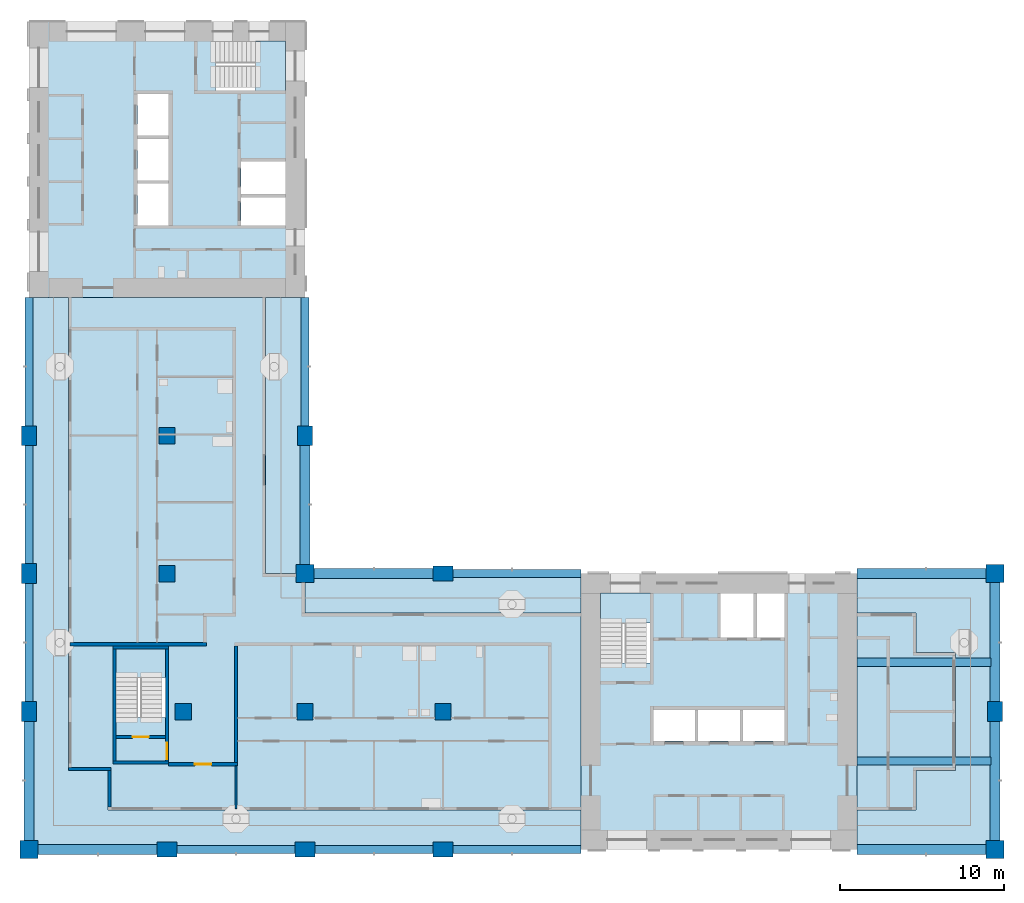
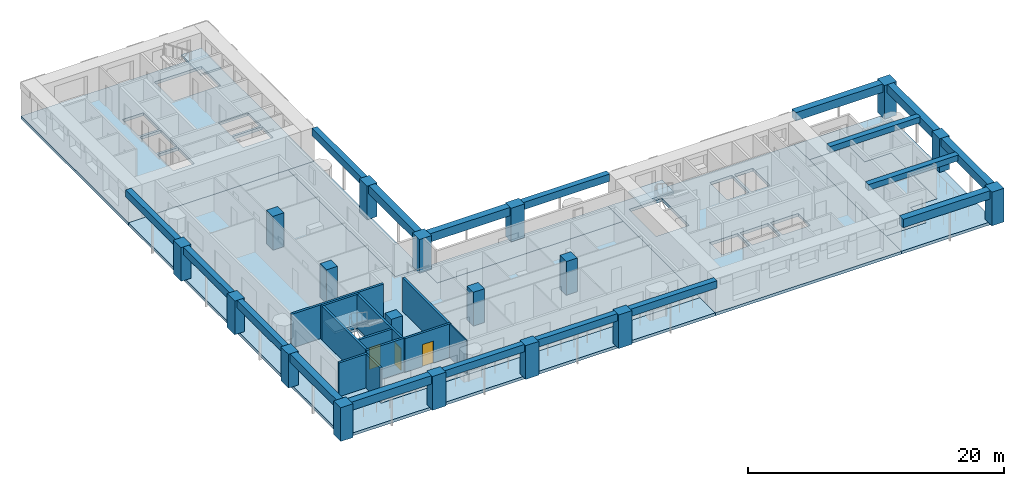
# One storey, part 1 of 13: 18 beams, 18 columns, 12 slabs, 11 walls, 3 doors, 3 openings, 3 elements without a shape of their own.
"""IFC4 building model written with IfcOpenShell, lengths in metres."""

from ifc_helpers import new_model, si_unit, direction, frame, frame_2d, origin, origin_2d, place, context, subcontext, project, spatial, polyline, rectangle, outline, extrude, material, layer, layer_set, material_profile, profile_set, type_object, element, fill, aggregate, save


model = new_model("IFC4")

# Units and contexts
model_context = context("Model", 3, precision=1e-05, world=origin(), true_north=direction((0.0, 1.0)))
body_context = subcontext(model_context, "Body", "Model", "MODEL_VIEW")
ifc_project = project(units=[si_unit("LENGTHUNIT", "METRE"), si_unit("AREAUNIT", "SQUARE_METRE"), si_unit("VOLUMEUNIT", "CUBIC_METRE"), si_unit("PLANEANGLEUNIT", "RADIAN"), si_unit("MASSUNIT", "GRAM", prefix="KILO")], contexts=[model_context])

# Site, building, storey
site_placement = place(None, origin())
site = spatial("IfcSite", under=ifc_project, at=site_placement, CompositionType="ELEMENT")
building_placement = place(site_placement, origin())
building = spatial("IfcBuilding", under=site, at=building_placement, Name="Vermilion Gate Residences", CompositionType="ELEMENT")
storey_placement = place(building_placement, frame((0.0, 0.0, 196.699951171875)))
storey = spatial("IfcBuildingStorey", under=building, at=storey_placement, Name="L51", CompositionType="ELEMENT", Elevation=196.699951171875)

# Columns
ifc_material_1 = material(Name="Concrete C60", Category="concrete")
ifc_material_profile_1 = material_profile(ifc_material_1, rectangle(XDim=1.0, YDim=1.0, at=origin_2d()), Name="RC-1000x1000")
ifc_profile_set_1 = profile_set([ifc_material_profile_1], Name="Concrete C60")
column_type_1 = type_object("IfcColumnType", Name="RC COLUMN 1000 X 1000 C60", PredefinedType="COLUMN", material=ifc_profile_set_1)
for number, where, z_axis, x_axis, name in (
    (1, (17.800048828125, 16.800048828125, 0.0), (0.0, 0.0, 1.0), (1.0, 0.0, 0.0), "Column 3-C L51"),
    (2, (16.800048828125, 25.199951171875, 0.0), (0.0, 0.0, 1.0), (1.0, 0.0, 0.0), "Column 3-D L51"),
    (3, (16.800048828125, 33.60009765625, 0.0), (0.0, 0.0, 1.0), (1.0, 0.0, 0.0), "Column 3-E L51"),
    (4, (25.199951171875, 16.800048828125, 0.0), (0.0, 0.0, 1.0), (1.0, 0.0, 0.0), "Column 4-C L51"),
    (5, (33.60009765625, 16.800048828125, 0.0), (0.0, 0.0, 1.0), (1.0, 0.0, 0.0), "Column 5-C L51"),
):
    element("IfcColumn", number, at=place(storey_placement, frame(where, z_axis=z_axis, x_axis=x_axis)), inside=storey, type_object=column_type_1, Name=name, PredefinedType="COLUMN", context=body_context, shape_type="SweptSolid", body=[
        extrude(rectangle(XDim=1.0, YDim=1.0, at=origin_2d()), origin(), (0.0, 0.0, 1.0), 3.219970703125),
    ])
ifc_material_2 = material(Name="Concrete C60", Category="concrete")
ifc_material_profile_2 = material_profile(ifc_material_2, rectangle(XDim=1.10009765625, YDim=1.10009765625, at=origin_2d()), Name="RC-1100x1100")
ifc_profile_set_2 = profile_set([ifc_material_profile_2], Name="Concrete C60")
column_type_2 = type_object("IfcColumnType", Name="RC COLUMN 1100 X 1100 C60", PredefinedType="COLUMN", material=ifc_profile_set_2)
for number, where, z_axis, x_axis, name in (
    (6, (8.39990234375, 8.39990234375, 0.0), (0.0, 0.0, 1.0), (1.0, 0.0, 0.0), "Column 2-B L51"),
    (7, (25.199951171875, 25.199951171875, 0.0), (0.0, 0.0, 1.0), (1.0, 0.0, 0.0), "Column 4-D L51"),
    (8, (67.199951171875, 8.39990234375, 0.0), (0.0, 0.0, 1.0), (1.0, 0.0, 0.0), "Column 9-B L51"),
    (9, (67.199951171875, 25.199951171875, 0.0), (0.0, 0.0, 1.0), (1.0, 0.0, 0.0), "Column 9-D L51"),
):
    element("IfcColumn", number, at=place(storey_placement, frame(where, z_axis=z_axis, x_axis=x_axis)), inside=storey, type_object=column_type_2, Name=name, PredefinedType="COLUMN", context=body_context, shape_type="SweptSolid", body=[
        extrude(rectangle(XDim=1.10009765625, YDim=1.10009765625, at=origin_2d()), origin(), (0.0, 0.0, 1.0), 3.219970703125),
    ])
ifc_material_3 = material(Name="Concrete C60", Category="concrete")
ifc_material_profile_3 = material_profile(ifc_material_3, rectangle(XDim=1.199951171875, YDim=0.89990234375, at=origin_2d()), Name="RC-1200x900")
ifc_profile_set_3 = profile_set([ifc_material_profile_3], Name="Concrete C60")
column_type_3 = type_object("IfcColumnType", Name="RC COLUMN 1200 X 900 C60", PredefinedType="COLUMN", material=ifc_profile_set_3)
for number, where, z_axis, x_axis, name in (
    (10, (8.39990234375, 16.800048828125, 0.0), (0.0, 0.0, 1.0), (0.0, 1.0, 0.0), "Column 2-C L51"),
    (11, (8.39990234375, 25.199951171875, 0.0), (0.0, 0.0, 1.0), (0.0, 1.0, 0.0), "Column 2-D L51"),
    (12, (8.39990234375, 33.60009765625, 0.0), (0.0, 0.0, 1.0), (0.0, 1.0, 0.0), "Column 2-E L51"),
    (13, (16.800048828125, 8.39990234375, 0.0), (0.0, 0.0, 1.0), (1.0, 0.0, 0.0), "Column 3-B L51"),
    (14, (25.199951171875, 8.39990234375, 0.0), (0.0, 0.0, 1.0), (1.0, 0.0, 0.0), "Column 4-B L51"),
    (15, (25.199951171875, 33.60009765625, 0.0), (0.0, 0.0, 1.0), (0.0, 1.0, 0.0), "Column 4-E L51"),
    (16, (33.60009765625, 8.39990234375, 0.0), (0.0, 0.0, 1.0), (1.0, 0.0, 0.0), "Column 5-B L51"),
    (17, (33.60009765625, 25.199951171875, 0.0), (0.0, 0.0, 1.0), (1.0, 0.0, 0.0), "Column 5-D L51"),
    (18, (67.199951171875, 16.800048828125, 0.0), (0.0, 0.0, 1.0), (0.0, 1.0, 0.0), "Column 9-C L51"),
):
    element("IfcColumn", number, at=place(storey_placement, frame(where, z_axis=z_axis, x_axis=x_axis)), inside=storey, type_object=column_type_3, Name=name, PredefinedType="COLUMN", context=body_context, shape_type="SweptSolid", body=[
        extrude(rectangle(XDim=1.199951171875, YDim=0.89990234375, at=origin_2d()), origin(), (0.0, 0.0, 1.0), 3.219970703125),
    ])

# Beams
ifc_material_4 = material(Name="Concrete C60 red-oxide pigmented", Category="concrete")
ifc_material_profile_4 = material_profile(ifc_material_4, rectangle(XDim=0.60009765625, YDim=0.800048828125, at=origin_2d()), Name="RC-600x800")
ifc_profile_set_4 = profile_set([ifc_material_profile_4], Name="Concrete C60 red-oxide pigmented")
beam_type_1 = type_object("IfcBeamType", Name="RC CORNER EDGE BEAM 600 X 800 C60", PredefinedType="BEAM", material=ifc_profile_set_4)
for number, where, z_axis, x_axis, name in (
    (19, (8.949951171875, 8.39990234375, 2.820068359375), (1.0, 0.0, 0.0), (0.0, 1.0, 0.0), "Corner edge beam L51 1"),
    (20, (8.39990234375, 8.949951171875, 2.820068359375), (0.0, 1.0, 0.0), (-1.0, 0.0, 0.0), "Corner edge beam L51 2"),
    (21, (25.199951171875, 25.75, 2.820068359375), (0.0, 1.0, 0.0), (-1.0, 0.0, 0.0), "Corner edge beam L51 7"),
    (22, (25.75, 25.199951171875, 2.820068359375), (1.0, 0.0, 0.0), (0.0, 1.0, 0.0), "Corner edge beam L51 10"),
):
    element("IfcBeam", number, at=place(storey_placement, frame(where, z_axis=z_axis, x_axis=x_axis)), inside=storey, type_object=beam_type_1, Name=name, PredefinedType="BEAM", context=body_context, shape_type="SweptSolid", body=[
        extrude(rectangle(XDim=0.60009765625, YDim=0.800048828125, at=origin_2d()), origin(), (0.0, 0.0, 1.0), 7.25),
    ])
beam_1_placement = place(storey_placement, frame((58.800048828125, 8.39990234375, 2.820068359375), z_axis=(1.0, 0.0, 0.0), x_axis=(0.0, 1.0, 0.0)))
element("IfcBeam", 23, at=beam_1_placement, inside=storey, type_object=beam_type_1, Name="Corner edge beam L51 13", PredefinedType="BEAM", context=body_context, shape_type="SweptSolid", body=[
    extrude(rectangle(XDim=0.60009765625, YDim=0.800048828125, at=origin_2d()), origin(), (0.0, 0.0, 1.0), 7.849853515625),
])
for number, where, z_axis, x_axis, name in (
    (24, (67.199951171875, 8.949951171875, 2.820068359375), (0.0, 1.0, 0.0), (-1.0, 0.0, 0.0), "Corner edge beam L51 14"),
    (25, (67.199951171875, 17.39990234375, 2.820068359375), (0.0, 1.0, 0.0), (-1.0, 0.0, 0.0), "Corner edge beam L51 15"),
):
    element("IfcBeam", number, at=place(storey_placement, frame(where, z_axis=z_axis, x_axis=x_axis)), inside=storey, type_object=beam_type_1, Name=name, PredefinedType="BEAM", context=body_context, shape_type="SweptSolid", body=[
        extrude(rectangle(XDim=0.60009765625, YDim=0.800048828125, at=origin_2d()), origin(), (0.0, 0.0, 1.0), 7.25),
    ])
beam_2_placement = place(storey_placement, frame((58.800048828125, 25.199951171875, 2.820068359375), z_axis=(1.0, 0.0, 0.0), x_axis=(0.0, 1.0, 0.0)))
element("IfcBeam", 26, at=beam_2_placement, inside=storey, type_object=beam_type_1, Name="Corner edge beam L51 16", PredefinedType="BEAM", context=body_context, shape_type="SweptSolid", body=[
    extrude(rectangle(XDim=0.60009765625, YDim=0.800048828125, at=origin_2d()), origin(), (0.0, 0.0, 1.0), 7.849853515625),
])
ifc_material_5 = material(Name="Concrete C60 red-oxide pigmented", Category="concrete")
ifc_material_profile_5 = material_profile(ifc_material_5, rectangle(XDim=0.5, YDim=0.699951171875, at=origin_2d()), Name="RC-500x700")
ifc_profile_set_5 = profile_set([ifc_material_profile_5], Name="Concrete C60 red-oxide pigmented")
beam_type_2 = type_object("IfcBeamType", Name="RC EDGE BEAM 500 X 700 C60", PredefinedType="BEAM", material=ifc_profile_set_5)
beam_3_placement = place(storey_placement, frame((8.39990234375, 17.39990234375, 2.8701171875), z_axis=(0.0, 1.0, 0.0), x_axis=(-1.0, 0.0, 0.0)))
element("IfcBeam", 27, at=beam_3_placement, inside=storey, type_object=beam_type_2, Name="Edge beam L51 3", PredefinedType="BEAM", context=body_context, shape_type="SweptSolid", body=[
    extrude(rectangle(XDim=0.5, YDim=0.699951171875, at=origin_2d()), origin(), (0.0, 0.0, 1.0), 7.2001953125),
])
beam_4_placement = place(storey_placement, frame((8.39990234375, 25.800048828125, 2.8701171875), z_axis=(0.0, 1.0, 0.0), x_axis=(-1.0, 0.0, 0.0)))
element("IfcBeam", 28, at=beam_4_placement, inside=storey, type_object=beam_type_2, Name="Edge beam L51 4", PredefinedType="BEAM", context=body_context, shape_type="SweptSolid", body=[
    extrude(rectangle(XDim=0.5, YDim=0.699951171875, at=origin_2d()), origin(), (0.0, 0.0, 1.0), 7.199951171875),
])
beam_5_placement = place(storey_placement, frame((8.39990234375, 34.199951171875, 2.8701171875), z_axis=(0.0, 1.0, 0.0), x_axis=(-1.0, 0.0, 0.0)))
element("IfcBeam", 29, at=beam_5_placement, inside=storey, type_object=beam_type_2, Name="Edge beam L51 5", PredefinedType="BEAM", context=body_context, shape_type="SweptSolid", body=[
    extrude(rectangle(XDim=0.5, YDim=0.699951171875, at=origin_2d()), origin(), (0.0, 0.0, 1.0), 7.800048828125),
])
beam_6_placement = place(storey_placement, frame((17.39990234375, 8.39990234375, 2.8701171875), z_axis=(1.0, 0.0, 0.0), x_axis=(0.0, 1.0, 0.0)))
element("IfcBeam", 30, at=beam_6_placement, inside=storey, type_object=beam_type_2, Name="Edge beam L51 6", PredefinedType="BEAM", context=body_context, shape_type="SweptSolid", body=[
    extrude(rectangle(XDim=0.5, YDim=0.699951171875, at=origin_2d()), origin(), (0.0, 0.0, 1.0), 7.2001953125),
])
beam_7_placement = place(storey_placement, frame((25.199951171875, 34.199951171875, 2.8701171875), z_axis=(0.0, 1.0, 0.0), x_axis=(-1.0, 0.0, 0.0)))
element("IfcBeam", 31, at=beam_7_placement, inside=storey, type_object=beam_type_2, Name="Edge beam L51 8", PredefinedType="BEAM", context=body_context, shape_type="SweptSolid", body=[
    extrude(rectangle(XDim=0.5, YDim=0.699951171875, at=origin_2d()), origin(), (0.0, 0.0, 1.0), 7.800048828125),
])
beam_8_placement = place(storey_placement, frame((25.800048828125, 8.39990234375, 2.8701171875), z_axis=(1.0, 0.0, 0.0), x_axis=(0.0, 1.0, 0.0)))
element("IfcBeam", 32, at=beam_8_placement, inside=storey, type_object=beam_type_2, Name="Edge beam L51 9", PredefinedType="BEAM", context=body_context, shape_type="SweptSolid", body=[
    extrude(rectangle(XDim=0.5, YDim=0.699951171875, at=origin_2d()), origin(), (0.0, 0.0, 1.0), 7.199951171875),
])
for number, where, z_axis, x_axis, name in (
    (33, (34.199951171875, 8.39990234375, 2.8701171875), (1.0, 0.0, 0.0), (0.0, 1.0, 0.0), "Edge beam L51 11"),
    (34, (34.199951171875, 25.199951171875, 2.8701171875), (1.0, 0.0, 0.0), (0.0, 1.0, 0.0), "Edge beam L51 12"),
):
    element("IfcBeam", number, at=place(storey_placement, frame(where, z_axis=z_axis, x_axis=x_axis)), inside=storey, type_object=beam_type_2, Name=name, PredefinedType="BEAM", context=body_context, shape_type="SweptSolid", body=[
        extrude(rectangle(XDim=0.5, YDim=0.699951171875, at=origin_2d()), origin(), (0.0, 0.0, 1.0), 7.800048828125),
    ])
ifc_material_6 = material(Name="Concrete C60", Category="concrete")
ifc_material_profile_6 = material_profile(ifc_material_6, rectangle(XDim=0.5, YDim=0.550048828125, at=origin_2d()), Name="RC-500x550")
ifc_profile_set_6 = profile_set([ifc_material_profile_6], Name="Concrete C60")
beam_type_3 = type_object("IfcBeamType", Name="RC WING BEAM 500 X 550 C60", PredefinedType="BEAM", material=ifc_profile_set_6)
for number, where, z_axis, x_axis, name in (
    (35, (58.800048828125, 13.800048828125, 2.945068359375), (1.0, 0.0, 0.0), (0.0, 1.0, 0.0), "Wing-end beam L51 1"),
    (36, (58.800048828125, 19.800048828125, 2.945068359375), (1.0, 0.0, 0.0), (0.0, 1.0, 0.0), "Wing-end beam L51 2"),
):
    element("IfcBeam", number, at=place(storey_placement, frame(where, z_axis=z_axis, x_axis=x_axis)), inside=storey, type_object=beam_type_3, Name=name, PredefinedType="BEAM", context=body_context, shape_type="SweptSolid", body=[
        extrude(rectangle(XDim=0.5, YDim=0.550048828125, at=origin_2d()), origin(), (0.0, 0.0, 1.0), 8.14990234375),
    ])

# Slabs
ifc_material_7 = material(Name="Concrete C50", Category="concrete")
ifc_layer_1 = layer(ifc_material_7, 0.280029296875)
ifc_layer_set_1 = layer_set([ifc_layer_1], Name="RC CORE FLOOR SLAB 280 C50")
slab_type_1 = type_object("IfcSlabType", Name="RC CORE FLOOR SLAB 280 C50", PredefinedType="FLOOR", material=ifc_layer_set_1)
slab_1_placement = place(storey_placement, frame((0.0, 0.0, -0.280029296875)))
element("IfcSlab", 37, at=slab_1_placement, inside=storey, type_object=slab_type_1, Name="Core floor slab A51", PredefinedType="FLOOR", context=body_context, shape_type="SweptSolid", body=[
    extrude(outline(polyline([(42.0, 8.39990234375), (58.800048828125, 8.39990234375), (58.800048828125, 25.199951171875), (42.0, 25.199951171875), (42.0, 8.39990234375)]), holes=[polyline([(46.39990234375, 15.0), (46.39990234375, 16.89990234375), (48.933349609375, 16.89990234375), (48.933349609375, 15.0), (46.39990234375, 15.0)]), polyline([(49.13330078125, 16.89990234375), (51.666748046875, 16.89990234375), (51.666748046875, 15.0), (49.13330078125, 15.0), (49.13330078125, 16.89990234375)]), polyline([(51.86669921875, 16.89990234375), (54.39990234375, 16.89990234375), (54.39990234375, 15.0), (51.86669921875, 15.0), (51.86669921875, 16.89990234375)]), polyline([(43.199951171875, 19.75), (43.199951171875, 24.0), (46.199951171875, 24.0), (46.199951171875, 19.75), (43.199951171875, 19.75)]), polyline([(50.5, 24.0), (52.5, 24.0), (52.5, 21.300048828125), (50.5, 21.300048828125), (50.5, 24.0)]), polyline([(52.699951171875, 24.0), (54.39990234375, 24.0), (54.39990234375, 21.300048828125), (52.699951171875, 21.300048828125), (52.699951171875, 24.0)])]), origin(), (0.0, 0.0, 1.0), 0.280029296875),
])
slab_2_placement = place(storey_placement, frame((0.0, 0.0, -0.280029296875)))
element("IfcSlab", 38, at=slab_2_placement, inside=storey, type_object=slab_type_1, Name="Core floor slab B51", PredefinedType="FLOOR", context=body_context, shape_type="SweptSolid", body=[
    extrude(outline(polyline([(8.39990234375, 42.0), (25.199951171875, 42.0), (25.199951171875, 58.800048828125), (8.39990234375, 58.800048828125), (8.39990234375, 42.0)]), holes=[polyline([(21.300048828125, 46.39990234375), (21.300048828125, 48.10009765625), (24.0, 48.10009765625), (24.0, 46.39990234375), (21.300048828125, 46.39990234375)]), polyline([(15.0, 48.933349609375), (16.89990234375, 48.933349609375), (16.89990234375, 46.39990234375), (15.0, 46.39990234375), (15.0, 48.933349609375)]), polyline([(21.300048828125, 50.300048828125), (24.0, 50.300048828125), (24.0, 48.300048828125), (21.300048828125, 48.300048828125), (21.300048828125, 50.300048828125)]), polyline([(15.0, 49.13330078125), (15.0, 51.666748046875), (16.89990234375, 51.666748046875), (16.89990234375, 49.13330078125), (15.0, 49.13330078125)]), polyline([(15.0, 54.39990234375), (16.89990234375, 54.39990234375), (16.89990234375, 51.86669921875), (15.0, 51.86669921875), (15.0, 54.39990234375)]), polyline([(19.75, 57.60009765625), (24.0, 57.60009765625), (24.0, 54.60009765625), (19.75, 54.60009765625), (19.75, 57.60009765625)])]), origin(), (0.0, 0.0, 1.0), 0.280029296875),
])
slab_3_placement = place(storey_placement, frame((0.0, 0.0, -0.280029296875)))
element("IfcSlab", 39, at=slab_3_placement, inside=storey, type_object=slab_type_1, Name="Apex stair floor slab 51", PredefinedType="FLOOR", context=body_context, shape_type="SweptSolid", body=[
    extrude(outline(polyline([(13.5, 13.60009765625), (16.89990234375, 13.60009765625), (16.89990234375, 20.800048828125), (13.5, 20.800048828125), (13.5, 13.60009765625)]), holes=[polyline([(16.699951171875, 20.60009765625), (16.699951171875, 16.449951171875), (13.699951171875, 16.449951171875), (13.699951171875, 20.60009765625), (16.699951171875, 20.60009765625)])]), origin(), (0.0, 0.0, 1.0), 0.280029296875),
])
ifc_material_8 = material(Name="Concrete C50", Category="concrete")
ifc_layer_2 = layer(ifc_material_8, 0.280029296875)
ifc_layer_set_2 = layer_set([ifc_layer_2], Name="RC FLAT PLATE 280 C50")
slab_type_2 = type_object("IfcSlabType", Name="RC FLAT PLATE 280 C50", PredefinedType="FLOOR", material=ifc_layer_set_2)
slab_4_placement = place(storey_placement, frame((0.0, 0.0, -0.280029296875)))
element("IfcSlab", 40, at=slab_4_placement, inside=storey, type_object=slab_type_2, Name="Floor slab L51", PredefinedType="FLOOR", context=body_context, shape_type="SweptSolid", body=[
    extrude(outline(polyline([(22.800048828125, 25.199951171875), (22.800048828125, 42.0), (10.800048828125, 42.0), (10.800048828125, 13.199951171875), (13.199951171875, 13.199951171875), (13.199951171875, 10.800048828125), (42.0, 10.800048828125), (42.0, 22.800048828125), (25.199951171875, 22.800048828125), (25.199951171875, 25.199951171875), (22.800048828125, 25.199951171875)]), holes=[polyline([(13.5, 13.60009765625), (13.5, 20.800048828125), (16.89990234375, 20.800048828125), (16.89990234375, 13.60009765625), (13.5, 13.60009765625)])]), origin(), (0.0, 0.0, 1.0), 0.280029296875),
])
slab_5_placement = place(storey_placement, frame((0.0, 0.0, -0.280029296875)))
element("IfcSlab", 41, at=slab_5_placement, inside=storey, type_object=slab_type_2, Name="Floor slab L51", PredefinedType="FLOOR", context=body_context, shape_type="SweptSolid", body=[
    extrude(outline(polyline([(58.800048828125, 22.800048828125), (58.800048828125, 10.800048828125), (62.39990234375, 10.800048828125), (62.39990234375, 13.199951171875), (64.800048828125, 13.199951171875), (64.800048828125, 20.39990234375), (62.39990234375, 20.39990234375), (62.39990234375, 22.800048828125), (58.800048828125, 22.800048828125)])), origin(), (0.0, 0.0, 1.0), 0.280029296875),
])
ifc_material_9 = material(Name="Concrete C50 red-oxide pigmented", Category="concrete")
ifc_layer_3 = layer(ifc_material_9, 0.280029296875)
ifc_layer_set_3 = layer_set([ifc_layer_3], Name="RC LOGGIA SLAB 280 C50")
slab_type_3 = type_object("IfcSlabType", Name="RC LOGGIA SLAB 280 C50", PredefinedType="FLOOR", material=ifc_layer_set_3)
slab_6_placement = place(storey_placement, frame((0.0, 0.0, -0.280029296875)))
element("IfcSlab", 42, at=slab_6_placement, inside=storey, type_object=slab_type_3, Name="Loggia slab L51", PredefinedType="FLOOR", context=body_context, shape_type="SweptSolid", body=[
    extrude(outline(polyline([(8.39990234375, 42.0), (8.39990234375, 8.39990234375), (42.0, 8.39990234375), (42.0, 10.800048828125), (13.199951171875, 10.800048828125), (13.199951171875, 13.199951171875), (10.800048828125, 13.199951171875), (10.800048828125, 42.0), (8.39990234375, 42.0)])), origin(), (0.0, 0.0, 1.0), 0.280029296875),
])
slab_7_placement = place(storey_placement, frame((0.0, 0.0, -0.280029296875)))
element("IfcSlab", 43, at=slab_7_placement, inside=storey, type_object=slab_type_3, Name="Loggia slab L51", PredefinedType="FLOOR", context=body_context, shape_type="SweptSolid", body=[
    extrude(outline(polyline([(64.800048828125, 13.199951171875), (62.39990234375, 13.199951171875), (62.39990234375, 10.800048828125), (58.800048828125, 10.800048828125), (58.800048828125, 8.39990234375), (67.199951171875, 8.39990234375), (67.199951171875, 25.199951171875), (58.800048828125, 25.199951171875), (58.800048828125, 22.800048828125), (62.39990234375, 22.800048828125), (62.39990234375, 20.39990234375), (64.800048828125, 20.39990234375), (64.800048828125, 13.199951171875)])), origin(), (0.0, 0.0, 1.0), 0.280029296875),
])
slab_8_placement = place(storey_placement, frame((0.0, 0.0, -0.280029296875)))
element("IfcSlab", 44, at=slab_8_placement, inside=storey, type_object=slab_type_3, Name="Loggia slab L51", PredefinedType="FLOOR", context=body_context, shape_type="SweptSolid", body=[
    extrude(outline(polyline([(42.0, 25.199951171875), (25.199951171875, 25.199951171875), (25.199951171875, 22.800048828125), (42.0, 22.800048828125), (42.0, 25.199951171875)])), origin(), (0.0, 0.0, 1.0), 0.280029296875),
])
slab_9_placement = place(storey_placement, frame((0.0, 0.0, -0.280029296875)))
element("IfcSlab", 45, at=slab_9_placement, inside=storey, type_object=slab_type_3, Name="Loggia slab L51", PredefinedType="FLOOR", context=body_context, shape_type="SweptSolid", body=[
    extrude(outline(polyline([(22.800048828125, 42.0), (22.800048828125, 25.199951171875), (25.199951171875, 25.199951171875), (25.199951171875, 42.0), (22.800048828125, 42.0)])), origin(), (0.0, 0.0, 1.0), 0.280029296875),
])

# Stair, slab
ifc_material_10 = material(Name="Concrete C50", Category="concrete")
stair_type = type_object("IfcStairType", Name="SPECIAL ESCAPE STAIR 1300", PredefinedType="HALF_TURN_STAIR", material=ifc_material_10)
stair_1_placement = place(storey_placement, origin())
stair_1 = element("IfcStair", 46, at=stair_1_placement, inside=storey, type_object=stair_type, Name="Special escape stair STA1-51", PredefinedType="HALF_TURN_STAIR")
ifc_material_11 = material(Name="Concrete C50", Category="concrete")
ifc_layer_4 = layer(ifc_material_11, 0.199951171875)
ifc_layer_set_4 = layer_set([ifc_layer_4], Name="STAIR LANDING 200 C50")
slab_type_4 = type_object("IfcSlabType", Name="STAIR LANDING 200 C50", PredefinedType="LANDING", material=ifc_layer_set_4)
slab_10_placement = place(storey_placement, frame((0.0, 0.0, 1.550048828125)))
slab_10 = element("IfcSlab", 47, at=slab_10_placement, type_object=slab_type_4, Name="STA1-51 landing 1", PredefinedType="LANDING", context=body_context, shape_type="SweptSolid", body=[
    extrude(outline(polyline([(46.219970703125, 22.179931640625), (46.219970703125, 24.02001953125), (43.179931640625, 24.02001953125), (43.179931640625, 22.179931640625), (46.219970703125, 22.179931640625)])), origin(), (0.0, 0.0, 1.0), 0.199951171875),
])
aggregate(stair_1, [slab_10])

stair_2_placement = place(storey_placement, origin())
stair_2 = element("IfcStair", 48, at=stair_2_placement, inside=storey, type_object=stair_type, Name="Special escape stair STB1-51", PredefinedType="HALF_TURN_STAIR")
slab_11_placement = place(storey_placement, frame((0.0, 0.0, 1.550048828125)))
slab_11 = element("IfcSlab", 49, at=slab_11_placement, type_object=slab_type_4, Name="STB1-51 landing 1", PredefinedType="LANDING", context=body_context, shape_type="SweptSolid", body=[
    extrude(outline(polyline([(24.02001953125, 54.580078125), (24.02001953125, 57.6201171875), (22.179931640625, 57.6201171875), (22.179931640625, 54.580078125), (24.02001953125, 54.580078125)])), origin(), (0.0, 0.0, 1.0), 0.199951171875),
])
aggregate(stair_2, [slab_11])

stair_3_placement = place(storey_placement, origin())
stair_3 = element("IfcStair", 50, at=stair_3_placement, inside=storey, type_object=stair_type, Name="Special escape stair STC1-51", PredefinedType="HALF_TURN_STAIR")
slab_12_placement = place(storey_placement, frame((0.0, 0.0, 1.550048828125)))
slab_12 = element("IfcSlab", 51, at=slab_12_placement, type_object=slab_type_4, Name="STC1-51 landing 1", PredefinedType="LANDING", context=body_context, shape_type="SweptSolid", body=[
    extrude(outline(polyline([(16.719970703125, 18.8798828125), (16.719970703125, 20.6201171875), (13.679931640625, 20.6201171875), (13.679931640625, 18.8798828125), (16.719970703125, 18.8798828125)])), origin(), (0.0, 0.0, 1.0), 0.199951171875),
])
aggregate(stair_3, [slab_12])

# Walls
ifc_material_12 = material(Name="Insulated steel stud wall with terracotta rainscreen", Category="masonry")
ifc_layer_5 = layer(ifc_material_12, 0.199951171875)
ifc_layer_set_5 = layer_set([ifc_layer_5], Name="EXTERNAL WALL 200 TERRACOTTA RAINSCREEN")
wall_type_1 = type_object("IfcWallType", Name="EXTERNAL WALL 200 TERRACOTTA RAINSCREEN", PredefinedType="SOLIDWALL", material=ifc_layer_set_5)
wall_1_placement = place(storey_placement, frame((10.800048828125, 13.300048828125, 0.0), z_axis=(0.0, 0.0, 1.0), x_axis=(1.0, 0.0, 0.0)))
element("IfcWall", 52, at=wall_1_placement, inside=storey, type_object=wall_type_1, Name="External wall", PredefinedType="SOLIDWALL", context=body_context, shape_type="SweptSolid", body=[
    extrude(rectangle(XDim=2.599853515625, YDim=0.199951171875, at=frame_2d((1.2998046875, 0.0))), origin(), (0.0, 0.0, 1.0), 3.219970703125),
])
wall_2_placement = place(storey_placement, frame((13.300048828125, 13.199951171875, 0.0), z_axis=(0.0, 0.0, 1.0), x_axis=(0.0, -1.0, 0.0)))
element("IfcWall", 53, at=wall_2_placement, inside=storey, type_object=wall_type_1, Name="External wall", PredefinedType="SOLIDWALL", context=body_context, shape_type="SweptSolid", body=[
    extrude(rectangle(XDim=2.199951171875, YDim=0.199951171875, at=frame_2d((1.10009765625, 0.0))), origin(), (0.0, 0.0, 1.0), 3.219970703125),
])
ifc_material_13 = material(Name="Plasterboard on steel studs", Category="steel")
ifc_layer_6 = layer(ifc_material_13, 0.10009765625)
ifc_layer_set_6 = layer_set([ifc_layer_6], Name="PARTITION 100")
wall_type_2 = type_object("IfcWallType", Name="PARTITION 100", PredefinedType="PARTITIONING", material=ifc_layer_set_6)
wall_3_placement = place(storey_placement, frame((21.0, 10.89990234375, 0.0), z_axis=(0.0, 0.0, 1.0), x_axis=(0.0, 1.0, 0.0)))
element("IfcWall", 54, at=wall_3_placement, inside=storey, type_object=wall_type_2, Name="Partition", PredefinedType="PARTITIONING", context=body_context, shape_type="SweptSolid", body=[
    extrude(rectangle(XDim=2.60009765625, YDim=0.10009765625, at=frame_2d((1.300048828125, 0.0))), origin(), (0.0, 0.0, 1.0), 3.219970703125),
])

# Wall, opening, door
ifc_material_14 = material(Name="Fire-rated plasterboard on steel studs", Category="steel")
ifc_layer_7 = layer(ifc_material_14, 0.199951171875)
ifc_layer_set_7 = layer_set([ifc_layer_7], Name="PARTY WALL 200 EI 120")
wall_type_3 = type_object("IfcWallType", Name="PARTY WALL 200 EI 120", PredefinedType="PARTITIONING", material=ifc_layer_set_7)
wall_4_placement = place(storey_placement, frame((16.89990234375, 13.60009765625, 0.0), z_axis=(0.0, 0.0, 1.0), x_axis=(1.0, 0.0, 0.0)))
wall_4 = element("IfcWall", 55, at=wall_4_placement, inside=storey, type_object=wall_type_3, Name="Party and corridor wall", PredefinedType="PARTITIONING", context=body_context, shape_type="SweptSolid", body=[
    extrude(rectangle(XDim=4.2001953125, YDim=0.199951171875, at=frame_2d((2.10009765625, 0.0))), origin(), (0.0, 0.0, 1.0), 3.219970703125),
])
opening_1_placement = place(wall_4_placement, frame((1.60009765625, 0.0, 0.0)))
opening_1 = element("IfcOpeningElement", 56, at=opening_1_placement, cuts=wall_4, Name="Opening DA49001", PredefinedType="OPENING", context=body_context, shape_type="SweptSolid", body=[
    extrude(rectangle(XDim=1.0, YDim=2.10009765625, at=frame_2d((0.5, 1.050048828125))), frame((0.0, 0.10986328125, 0.0), z_axis=(0.0, -1.0, 0.0), x_axis=(1.0, 0.0, 0.0)), (0.0, 0.0, 1.0), 0.219970703125),
])
ifc_material_15 = material(Name="Steel", Category="steel")
door_type_1 = type_object("IfcDoorType", Name="ENTRANCE DOOR 1000 X 2100 FD30", OperationType="SINGLE_SWING_LEFT", PredefinedType="DOOR", material=ifc_material_15)
door_1_placement = place(opening_1_placement, frame((1.0, 0.0, 0.0), z_axis=(0.0, 0.0, 1.0), x_axis=(-1.0, 0.0, 0.0)))
door_1 = element("IfcDoor", 57, at=door_1_placement, inside=storey, type_object=door_type_1, Name="Entrance door", OperationType="SINGLE_SWING_LEFT", OverallHeight=2.10009765625, OverallWidth=1.0, PredefinedType="DOOR", context=body_context, shape_type="SweptSolid", body=[
    extrude(rectangle(XDim=1.0, YDim=2.10009765625, at=frame_2d((0.5, 1.050048828125))), frame((0.0, 0.02490234375, 0.0), z_axis=(0.0, -1.0, 0.0), x_axis=(1.0, 0.0, 0.0)), (0.0, 0.0, 1.0), 0.050048828125),
])
fill(opening_1, door_1)

# Walls
wall_5_placement = place(storey_placement, frame((10.89990234375, 20.89990234375, 0.0), z_axis=(0.0, 0.0, 1.0), x_axis=(1.0, 0.0, 0.0)))
element("IfcWall", 58, at=wall_5_placement, inside=storey, type_object=wall_type_3, Name="Party and corridor wall", PredefinedType="PARTITIONING", context=body_context, shape_type="SweptSolid", body=[
    extrude(rectangle(XDim=8.300048828125, YDim=0.199951171875, at=frame_2d((4.14990234375, 0.0))), origin(), (0.0, 0.0, 1.0), 3.219970703125),
])
wall_6_placement = place(storey_placement, frame((21.0, 13.699951171875, 0.0), z_axis=(0.0, 0.0, 1.0), x_axis=(0.0, 1.0, 0.0)))
element("IfcWall", 59, at=wall_6_placement, inside=storey, type_object=wall_type_3, Name="Party and corridor wall", PredefinedType="PARTITIONING", context=body_context, shape_type="SweptSolid", body=[
    extrude(rectangle(XDim=7.10009765625, YDim=0.199951171875, at=frame_2d((3.550048828125, 0.0))), origin(), (0.0, 0.0, 1.0), 3.219970703125),
])
ifc_material_16 = material(Name="Concrete C60", Category="concrete")
ifc_layer_8 = layer(ifc_material_16, 0.199951171875)
ifc_layer_set_8 = layer_set([ifc_layer_8], Name="RC CORE INTERNAL WALL 200 C60")
wall_type_4 = type_object("IfcWallType", Name="RC CORE INTERNAL WALL 200 C60", PredefinedType="SHEAR", material=ifc_layer_set_8)
wall_7_placement = place(storey_placement, frame((13.60009765625, 13.800048828125, 0.0), z_axis=(0.0, 0.0, 1.0), x_axis=(0.0, 1.0, 0.0)))
element("IfcWall", 60, at=wall_7_placement, inside=storey, type_object=wall_type_4, Name="Core internal wall C51-W", PredefinedType="SHEAR", context=body_context, shape_type="SweptSolid", body=[
    extrude(rectangle(XDim=6.800048828125, YDim=0.199951171875, at=frame_2d((3.39990234375, 0.0))), origin(), (0.0, 0.0, 1.0), 3.219970703125),
])

# Wall, opening, door
wall_8_placement = place(storey_placement, frame((16.800048828125, 13.800048828125, 0.0), z_axis=(0.0, 0.0, 1.0), x_axis=(0.0, 1.0, 0.0)))
wall_8 = element("IfcWall", 61, at=wall_8_placement, inside=storey, type_object=wall_type_4, Name="Core internal wall C51-E", PredefinedType="SHEAR", context=body_context, shape_type="SweptSolid", body=[
    extrude(rectangle(XDim=6.800048828125, YDim=0.199951171875, at=frame_2d((3.39990234375, 0.0))), origin(), (0.0, 0.0, 1.0), 3.219970703125),
])
opening_2_placement = place(wall_8_placement, frame((0.10009765625, 0.0, 0.0)))
opening_2 = element("IfcOpeningElement", 62, at=opening_2_placement, cuts=wall_8, Name="Opening DK51201", PredefinedType="OPENING", context=body_context, shape_type="SweptSolid", body=[
    extrude(rectangle(XDim=1.0, YDim=2.10009765625, at=frame_2d((0.5, 1.050048828125))), frame((0.0, 0.10986328125, 0.0), z_axis=(0.0, -1.0, 0.0), x_axis=(1.0, 0.0, 0.0)), (0.0, 0.0, 1.0), 0.219970703125),
])
ifc_material_17 = material(Name="Steel", Category="steel")
door_type_2 = type_object("IfcDoorType", Name="FIRE DOOR FD60 1000 X 2100", OperationType="SINGLE_SWING_LEFT", PredefinedType="DOOR", material=ifc_material_17)
door_2_placement = place(opening_2_placement, frame((1.0, 0.0, 0.0), z_axis=(0.0, 0.0, 1.0), x_axis=(-1.0, 0.0, 0.0)))
door_2 = element("IfcDoor", 63, at=door_2_placement, inside=storey, type_object=door_type_2, Name="Stair vestibule door C51", OperationType="SINGLE_SWING_RIGHT", OverallHeight=2.10009765625, OverallWidth=1.0, PredefinedType="DOOR", context=body_context, shape_type="SweptSolid", body=[
    extrude(rectangle(XDim=1.0, YDim=2.10009765625, at=frame_2d((0.5, 1.050048828125))), frame((0.0, 0.02490234375, 0.0), z_axis=(0.0, -1.0, 0.0), x_axis=(1.0, 0.0, 0.0)), (0.0, 0.0, 1.0), 0.050048828125),
])
fill(opening_2, door_2)

# Walls
for number, where, z_axis, x_axis, name in (
    (64, (13.5, 13.699951171875, 0.0), (0.0, 0.0, 1.0), (1.0, 0.0, 0.0), "Core internal wall C51-S"),
    (65, (13.5, 20.699951171875, 0.0), (0.0, 0.0, 1.0), (1.0, 0.0, 0.0), "Core internal wall C51-N"),
):
    element("IfcWall", number, at=place(storey_placement, frame(where, z_axis=z_axis, x_axis=x_axis)), inside=storey, type_object=wall_type_4, Name=name, PredefinedType="SHEAR", context=body_context, shape_type="SweptSolid", body=[
        extrude(rectangle(XDim=3.39990234375, YDim=0.199951171875, at=frame_2d((1.699951171875, 0.0))), origin(), (0.0, 0.0, 1.0), 3.219970703125),
    ])

# Wall, opening, door
wall_9_placement = place(storey_placement, frame((13.699951171875, 15.25, 0.0), z_axis=(0.0, 0.0, 1.0), x_axis=(1.0, 0.0, 0.0)))
wall_9 = element("IfcWall", 66, at=wall_9_placement, inside=storey, type_object=wall_type_4, Name="Core internal wall C51-P", PredefinedType="SHEAR", context=body_context, shape_type="SweptSolid", body=[
    extrude(rectangle(XDim=3.0, YDim=0.199951171875, at=frame_2d((1.5, 0.0))), origin(), (0.0, 0.0, 1.0), 3.219970703125),
])
opening_3_placement = place(wall_9_placement, frame((1.0, 0.0, 0.0)))
opening_3 = element("IfcOpeningElement", 67, at=opening_3_placement, cuts=wall_9, Name="Opening DK51202", PredefinedType="OPENING", context=body_context, shape_type="SweptSolid", body=[
    extrude(rectangle(XDim=1.0, YDim=2.10009765625, at=frame_2d((0.5, 1.050048828125))), frame((0.0, 0.10986328125, 0.0), z_axis=(0.0, -1.0, 0.0), x_axis=(1.0, 0.0, 0.0)), (0.0, 0.0, 1.0), 0.219970703125),
])
door_3_placement = place(opening_3_placement, origin())
door_3 = element("IfcDoor", 68, at=door_3_placement, inside=storey, type_object=door_type_2, Name="Stair door C51", OperationType="SINGLE_SWING_LEFT", OverallHeight=2.10009765625, OverallWidth=1.0, PredefinedType="DOOR", context=body_context, shape_type="SweptSolid", body=[
    extrude(rectangle(XDim=1.0, YDim=2.10009765625, at=frame_2d((0.5, 1.050048828125))), frame((0.0, 0.02490234375, 0.0), z_axis=(0.0, -1.0, 0.0), x_axis=(1.0, 0.0, 0.0)), (0.0, 0.0, 1.0), 0.050048828125),
])
fill(opening_3, door_3)

save(model, "model.ifc")
